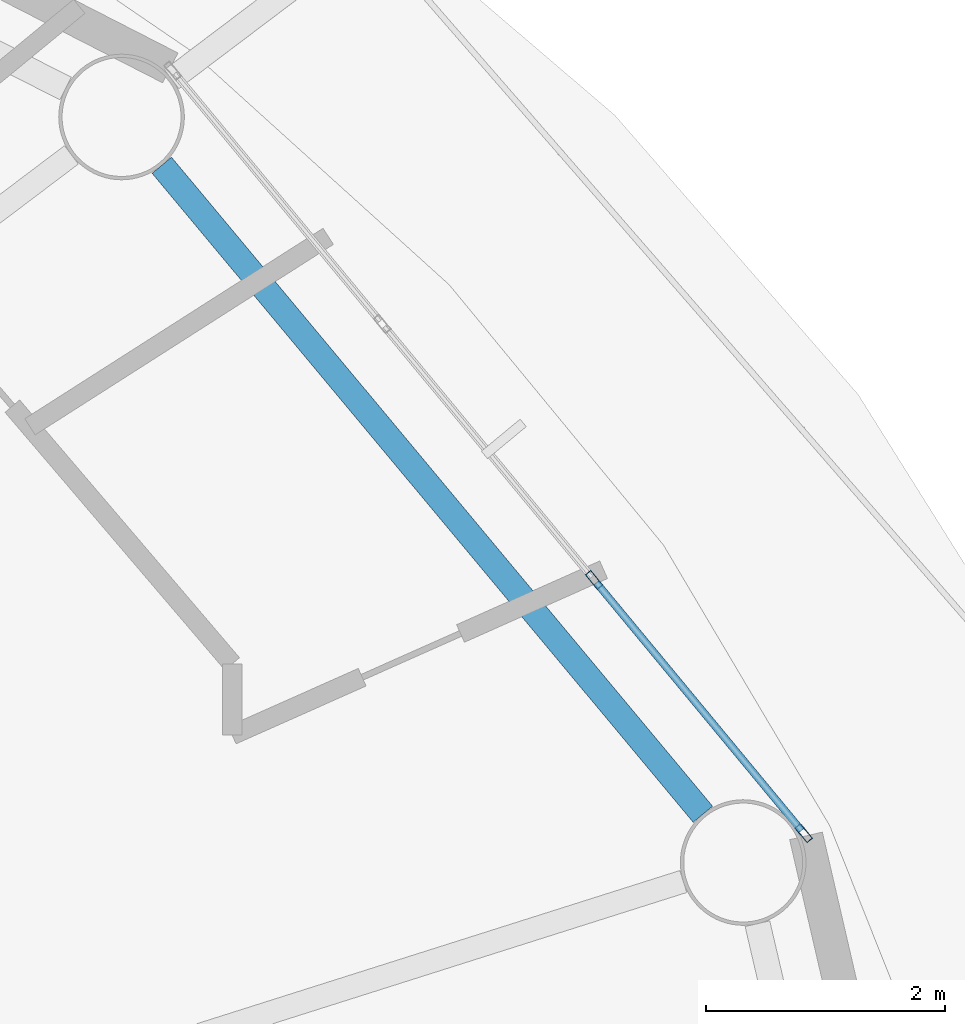
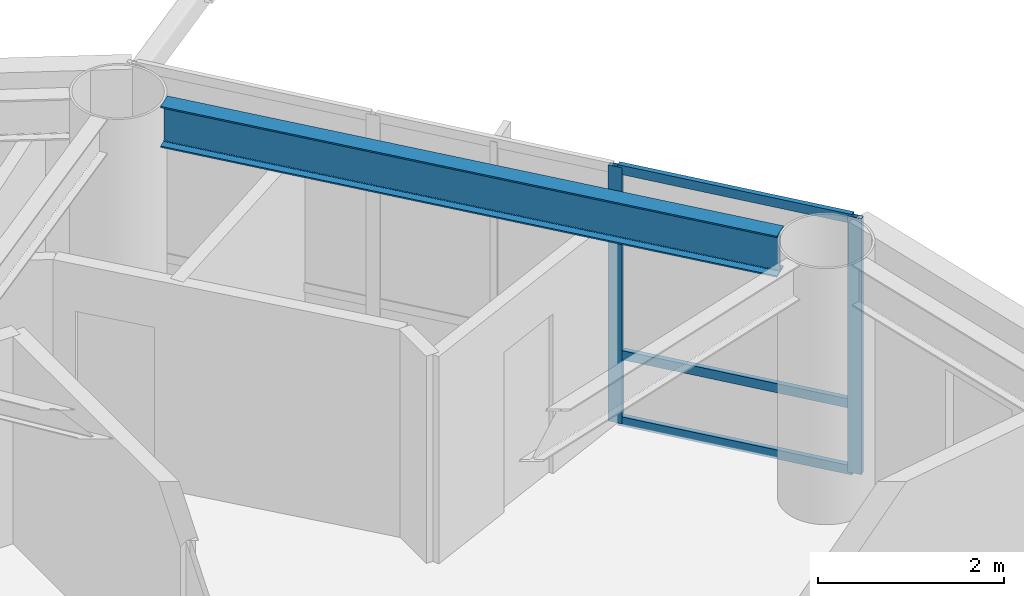
# One storey, part 7 of 23: 5 members, 1 beam, 1 element without a shape of its own.
"""IFC4 building model written with IfcOpenShell, lengths in metres."""

from ifc_helpers import new_model, si_unit, direction, frame, origin, origin_2d, place, context, subcontext, project, spatial, hollow_rectangle, i_section, extrude, material, layer, layer_set, material_profile, profile_set, type_object, element, aggregate, save


model = new_model("IFC4")

# Units and contexts
model_context = context("Model", 3, precision=1e-05, world=origin(), true_north=direction((0.0, 1.0)))
body_context = subcontext(model_context, "Body", "Model", "MODEL_VIEW")
ifc_project = project(units=[si_unit("LENGTHUNIT", "METRE"), si_unit("AREAUNIT", "SQUARE_METRE"), si_unit("VOLUMEUNIT", "CUBIC_METRE"), si_unit("PLANEANGLEUNIT", "RADIAN"), si_unit("MASSUNIT", "GRAM", prefix="KILO")], contexts=[model_context])

# Site, building, storey
site_placement = place(None, origin())
site = spatial("IfcSite", under=ifc_project, at=site_placement, CompositionType="ELEMENT")
building_placement = place(site_placement, origin())
building = spatial("IfcBuilding", under=site, at=building_placement, Name="Sarneth Arch Tower", CompositionType="ELEMENT")
storey_placement = place(building_placement, frame((0.0, 0.0, 246.0)))
storey = spatial("IfcBuildingStorey", under=building, at=storey_placement, Name="L63", CompositionType="ELEMENT", Elevation=246.0)

# Beam
ifc_material_1 = material(Name="Steel S355", Category="steel")
ifc_material_profile_1 = material_profile(ifc_material_1, i_section(OverallWidth=0.2109375, OverallDepth=0.5390625, WebThickness=0.01171875, FlangeThickness=0.018798828125, FilletRadius=0.01806640625, at=origin_2d()), Name="W530x109")
ifc_profile_set_1 = profile_set([ifc_material_profile_1], Name="Steel S355")
beam_type = type_object("IfcBeamType", Name="BM-RAD-530B", PredefinedType="BEAM", material=ifc_profile_set_1)
beam_placement = place(storey_placement, frame((70.83251953125, 49.750732421875, 3.090576171875), z_axis=(-0.640364654985, 0.76807103099, 0.0), x_axis=(-0.76807103099, -0.640364654985, 0.0)))
element("IfcBeam", 1, at=beam_placement, inside=storey, type_object=beam_type, Name="L63 Perimeter spandrel beam 02", PredefinedType="BEAM", context=body_context, shape_type="SweptSolid", body=[
    extrude(i_section(OverallWidth=0.2109375, OverallDepth=0.5390625, WebThickness=0.01171875, FlangeThickness=0.018798828125, FilletRadius=0.01806640625, at=origin_2d()), origin(), (0.0, 0.0, 1.0), 7.06005859375),
])

# Curtain wall, members
ifc_material_2 = material(Name="Anodised aluminium Type AA25 and solar-control low-e laminated IGU", Category="aluminium")
ifc_layer = layer(ifc_material_2, 0.179931640625)
ifc_layer_set = layer_set([ifc_layer], Name="Anodised aluminium Type AA25 and solar-control low-e laminated IGU")
curtain_wall_type = type_object("IfcCurtainWallType", Name="CW-RES-HIGH", PredefinedType="NOTDEFINED", material=ifc_layer_set)
curtain_wall_placement = place(storey_placement, origin())
curtain_wall = element("IfcCurtainWall", 2, at=curtain_wall_placement, inside=storey, type_object=curtain_wall_type, Name="L63 Unitised curtain wall facet 02", PredefinedType="NOTDEFINED")
ifc_material_3 = material(Name="Anodised Aluminium 6063-T6", Category="aluminium")
ifc_material_profile_2 = material_profile(ifc_material_3, hollow_rectangle(XDim=0.06005859375, YDim=0.159912109375, WallThickness=0.00390625, at=origin_2d()), Name="AL-MULL-160x60x4")
ifc_profile_set_2 = profile_set([ifc_material_profile_2], Name="Anodised Aluminium 6063-T6")
member_type_1 = type_object("IfcMemberType", Name="CW-MULLION", PredefinedType="MULLION", material=ifc_profile_set_2)
member_1_placement = place(storey_placement, frame((71.674560546875, 49.592529296875, 0.0), z_axis=(0.0, 0.0, 1.0), x_axis=(-0.770359245933, -0.637610094184, 0.0)))
member_1 = element("IfcMember", 3, at=member_1_placement, type_object=member_type_1, Name="CW-SYS-6 mullion 1", PredefinedType="MULLION", context=body_context, shape_type="SweptSolid", body=[
    extrude(hollow_rectangle(XDim=0.06005859375, YDim=0.159912109375, WallThickness=0.00390625, at=origin_2d()), origin(), (0.0, 0.0, 1.0), 3.360107421875),
])
member_2_placement = place(storey_placement, frame((69.92333984375, 51.70849609375, 0.0), z_axis=(0.0, 0.0, 1.0), x_axis=(-0.770359245933, -0.637610094184, 0.0)))
member_2 = element("IfcMember", 4, at=member_2_placement, type_object=member_type_1, Name="CW-SYS-6 mullion 2", PredefinedType="MULLION", context=body_context, shape_type="SweptSolid", body=[
    extrude(hollow_rectangle(XDim=0.06005859375, YDim=0.159912109375, WallThickness=0.00390625, at=origin_2d()), origin(), (0.0, 0.0, 1.0), 3.360107421875),
])
ifc_material_4 = material(Name="Anodised Aluminium 6063-T6", Category="aluminium")
ifc_material_profile_3 = material_profile(ifc_material_4, hollow_rectangle(XDim=0.06005859375, YDim=0.1201171875, WallThickness=0.00390625, at=origin_2d()), Name="AL-TRAN-120x60x4")
ifc_profile_set_3 = profile_set([ifc_material_profile_3], Name="Anodised Aluminium 6063-T6")
member_type_2 = type_object("IfcMemberType", Name="CW-TRANSOM", PredefinedType="USERDEFINED", material=ifc_profile_set_3)
member_3_placement = place(storey_placement, frame((71.655517578125, 49.61572265625, 0.030029296875), z_axis=(-0.637651400067, 0.770325056059, 0.0), x_axis=(-0.770325056059, -0.637651400067, 0.0)))
member_3 = element("IfcMember", 5, at=member_3_placement, type_object=member_type_2, Name="CW-SYS-6 transom 1.1", ObjectType="TRANSOM", PredefinedType="USERDEFINED", context=body_context, shape_type="SweptSolid", body=[
    extrude(hollow_rectangle(XDim=0.06005859375, YDim=0.1201171875, WallThickness=0.00390625, at=origin_2d()), origin(), (0.0, 0.0, 1.0), 2.6865234375),
])
member_4_placement = place(storey_placement, frame((71.655517578125, 49.61572265625, 0.89990234375), z_axis=(-0.637651400067, 0.770325056059, 0.0), x_axis=(-0.770325056059, -0.637651400067, 0.0)))
member_4 = element("IfcMember", 6, at=member_4_placement, type_object=member_type_2, Name="CW-SYS-6 transom 1.2", ObjectType="TRANSOM", PredefinedType="USERDEFINED", context=body_context, shape_type="SweptSolid", body=[
    extrude(hollow_rectangle(XDim=0.06005859375, YDim=0.1201171875, WallThickness=0.00390625, at=origin_2d()), origin(), (0.0, 0.0, 1.0), 2.6865234375),
])
member_5_placement = place(storey_placement, frame((71.655517578125, 49.61572265625, 3.330078125), z_axis=(-0.637651400067, 0.770325056059, 0.0), x_axis=(-0.770325056059, -0.637651400067, 0.0)))
member_5 = element("IfcMember", 7, at=member_5_placement, type_object=member_type_2, Name="CW-SYS-6 transom 1.3", ObjectType="TRANSOM", PredefinedType="USERDEFINED", context=body_context, shape_type="SweptSolid", body=[
    extrude(hollow_rectangle(XDim=0.06005859375, YDim=0.1201171875, WallThickness=0.00390625, at=origin_2d()), origin(), (0.0, 0.0, 1.0), 2.6865234375),
])
aggregate(curtain_wall, [member_1, member_2, member_3, member_4, member_5])

save(model, "model.ifc")
